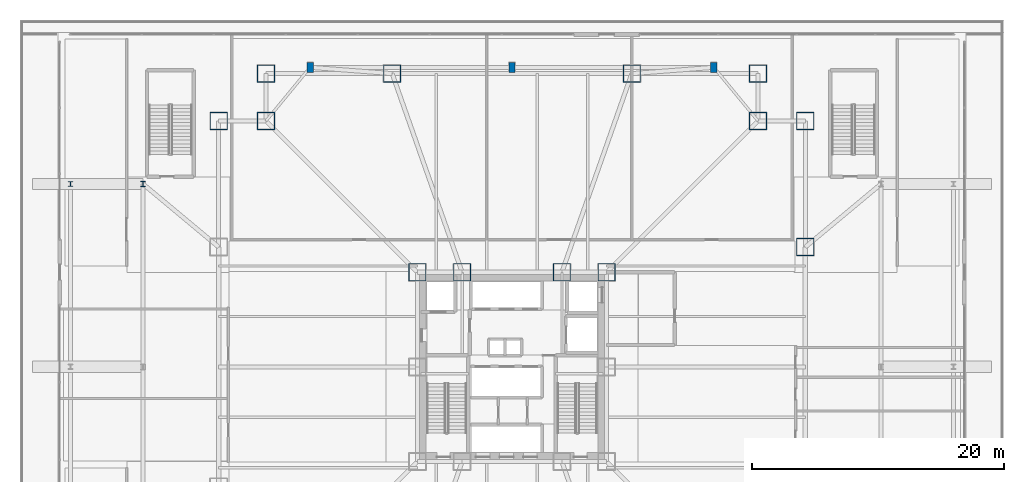
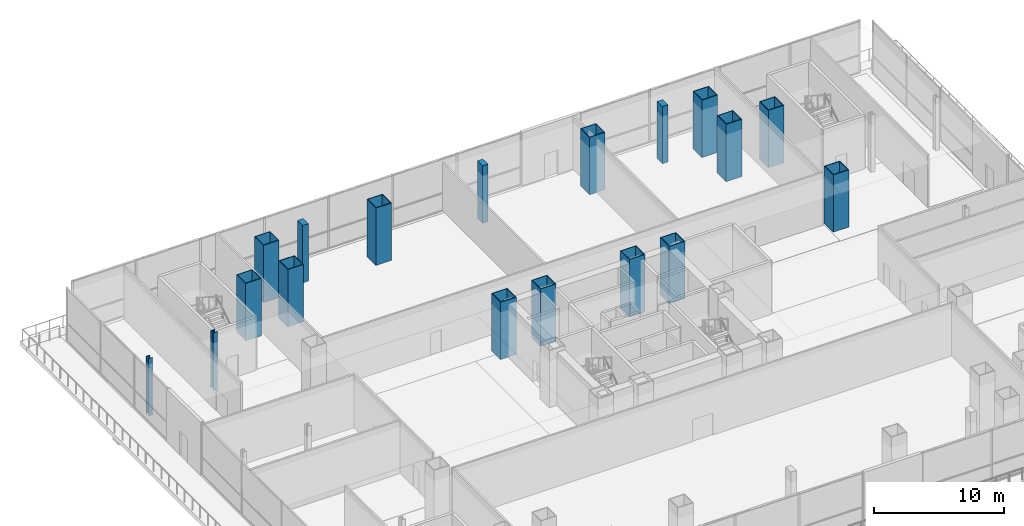
# One storey, part 3 of 35: 18 columns.
"""IFC4 building model written with IfcOpenShell, lengths in metres."""

from ifc_helpers import new_model, si_unit, direction, frame, origin, origin_2d, place, context, subcontext, project, spatial, rectangle, hollow_rectangle, i_section, extrude, material, material_profile, profile_set, type_object, element, save


model = new_model("IFC4")

# Units and contexts
model_context = context("Model", 3, precision=1e-05, world=origin(), true_north=direction((0.0, 1.0)))
body_context = subcontext(model_context, "Body", "Model", "MODEL_VIEW")
ifc_project = project(units=[si_unit("LENGTHUNIT", "METRE"), si_unit("AREAUNIT", "SQUARE_METRE"), si_unit("VOLUMEUNIT", "CUBIC_METRE"), si_unit("PLANEANGLEUNIT", "RADIAN"), si_unit("MASSUNIT", "GRAM", prefix="KILO")], contexts=[model_context])

# Site, building, storey
site_placement = place(None, origin())
site = spatial("IfcSite", under=ifc_project, at=site_placement, CompositionType="ELEMENT")
building_placement = place(site_placement, origin())
building = spatial("IfcBuilding", under=site, at=building_placement, Name="Trevonay Congress Spire", CompositionType="ELEMENT")
storey_placement = place(building_placement, frame((0.0, 0.0, 10.800048828125)))
storey = spatial("IfcBuildingStorey", under=building, at=storey_placement, Name="L02", CompositionType="ELEMENT", Elevation=10.800048828125)

# Columns
ifc_material_1 = material(Name="Steel ASTM A572 Grade 50", Category="steel")
ifc_material_profile_1 = material_profile(ifc_material_1, hollow_rectangle(XDim=1.39990234375, YDim=1.39990234375, WallThickness=0.06005859375, at=origin_2d()), Name="BOX 1400x1400x60")
ifc_profile_set_1 = profile_set([ifc_material_profile_1], Name="Steel ASTM A572 Grade 50")
column_type_1 = type_object("IfcColumnType", Name="COL-CORE-BOX1400", PredefinedType="COLUMN", material=ifc_profile_set_1)
for number, where, z_axis, x_axis, name in (
    (1, (7.5, 7.5, 0.0), (0.0, 0.0, 1.0), (1.0, 0.0, 0.0), "L02 column C01 at CC-NE"),
    (2, (3.949951171875, 7.5, 0.0), (0.0, 0.0, 1.0), (1.0, 0.0, 0.0), "L02 column C01 at CC-NME"),
    (3, (-3.949951171875, 7.5, 0.0), (0.0, 0.0, 1.0), (1.0, 0.0, 0.0), "L02 column C01 at CC-NMW"),
    (4, (-7.5, 7.5, 0.0), (0.0, 0.0, 1.0), (1.0, 0.0, 0.0), "L02 column C01 at CC-NW"),
    (5, (-19.5, 23.25, 0.0), (0.0, 0.0, 1.0), (1.0, 0.0, 0.0), "L02 column C01 at TM-N1"),
    (6, (-9.5, 23.25, 0.0), (0.0, 0.0, 1.0), (1.0, 0.0, 0.0), "L02 column C01 at TM-N2"),
    (7, (9.5, 23.25, 0.0), (0.0, 0.0, 1.0), (1.0, 0.0, 0.0), "L02 column C01 at TM-N5"),
    (8, (19.5, 23.25, 0.0), (0.0, 0.0, 1.0), (1.0, 0.0, 0.0), "L02 column C01 at TM-N6"),
    (9, (-23.25, 19.5, 0.0), (0.0, 0.0, 1.0), (1.0, 0.0, 0.0), "L02 column C01 at TM-W6"),
    (10, (23.25, 9.5, 0.0), (0.0, 0.0, 1.0), (1.0, 0.0, 0.0), "L02 column C01 at TM-E5"),
    (11, (23.25, 19.5, 0.0), (0.0, 0.0, 1.0), (1.0, 0.0, 0.0), "L02 column C01 at TM-E6"),
    (12, (19.5, 19.5, 0.0), (0.0, 0.0, 1.0), (1.0, 0.0, 0.0), "L02 column C01 at TM-CNE"),
    (13, (-19.5, 19.5, 0.0), (0.0, 0.0, 1.0), (1.0, 0.0, 0.0), "L02 column C01 at TM-CNW"),
):
    element("IfcColumn", number, at=place(storey_placement, frame(where, z_axis=z_axis, x_axis=x_axis)), inside=storey, type_object=column_type_1, Name=name, PredefinedType="COLUMN", context=body_context, shape_type="SweptSolid", body=[
        extrude(hollow_rectangle(XDim=1.39990234375, YDim=1.39990234375, WallThickness=0.06005859375, at=origin_2d()), origin(), (0.0, 0.0, 1.0), 5.39990234375),
    ])
ifc_material_2 = material(Name="Concrete C60/75", Category="concrete")
ifc_material_profile_2 = material_profile(ifc_material_2, rectangle(XDim=0.5, YDim=0.800048828125, at=origin_2d()), Name="RC 800x500")
ifc_profile_set_2 = profile_set([ifc_material_profile_2], Name="Concrete C60/75")
column_type_2 = type_object("IfcColumnType", Name="COL-PIL-RC800X500", PredefinedType="PILASTER", material=ifc_profile_set_2)
for number, where, z_axis, x_axis, name in (
    (14, (-16.0, 23.75, 0.0), (0.0, 0.0, 1.0), (1.0, 0.0, 0.0), "L02 column C13 at PN-1"),
    (15, (0.0, 23.75, 0.0), (0.0, 0.0, 1.0), (1.0, 0.0, 0.0), "L02 column C13 at PN-2"),
    (16, (16.0, 23.75, 0.0), (0.0, 0.0, 1.0), (1.0, 0.0, 0.0), "L02 column C13 at PN-3"),
):
    element("IfcColumn", number, at=place(storey_placement, frame(where, z_axis=z_axis, x_axis=x_axis)), inside=storey, type_object=column_type_2, Name=name, PredefinedType="PILASTER", context=body_context, shape_type="SweptSolid", body=[
        extrude(rectangle(XDim=0.5, YDim=0.800048828125, at=origin_2d()), origin(), (0.0, 0.0, 1.0), 5.39990234375),
    ])
ifc_material_profile_3 = material_profile(ifc_material_1, i_section(OverallWidth=0.367919921875, OverallDepth=0.425048828125, WebThickness=0.02978515625, FlangeThickness=0.047607421875, FilletRadius=0.02001953125, at=origin_2d()), Name="W360x421")
ifc_profile_set_3 = profile_set([ifc_material_profile_3], Name="Steel ASTM A572 Grade 50")
column_type_3 = type_object("IfcColumnType", Name="COL-POD-W360X421", PredefinedType="COLUMN", material=ifc_profile_set_3)
column_1_placement = place(storey_placement, frame((-29.25, 14.5, 0.0), z_axis=(0.0, 0.0, 1.0), x_axis=(1.0, 0.0, 0.0)))
element("IfcColumn", 17, at=column_1_placement, inside=storey, type_object=column_type_3, Name="L02 column C08 at PW-3", PredefinedType="COLUMN", context=body_context, shape_type="SweptSolid", body=[
    extrude(i_section(OverallWidth=0.367919921875, OverallDepth=0.425048828125, WebThickness=0.02978515625, FlangeThickness=0.047607421875, FilletRadius=0.02001953125, at=origin_2d()), origin(), (0.0, 0.0, 1.0), 5.39990234375),
])
ifc_material_profile_4 = material_profile(ifc_material_1, i_section(OverallWidth=0.340087890625, OverallDepth=0.39306640625, WebThickness=0.020263671875, FlangeThickness=0.033203125, FilletRadius=0.02001953125, at=origin_2d()), Name="W360x287")
ifc_profile_set_4 = profile_set([ifc_material_profile_4], Name="Steel ASTM A572 Grade 50")
column_type_4 = type_object("IfcColumnType", Name="COL-STEP-W360X287", PredefinedType="COLUMN", material=ifc_profile_set_4)
column_2_placement = place(storey_placement, frame((-35.0, 14.5, -0.400146484375), z_axis=(0.0, 0.0, 1.0), x_axis=(1.0, 0.0, 0.0)))
element("IfcColumn", 18, at=column_2_placement, inside=storey, type_object=column_type_4, Name="L02 column C10 at SW-3", PredefinedType="COLUMN", context=body_context, shape_type="SweptSolid", body=[
    extrude(i_section(OverallWidth=0.340087890625, OverallDepth=0.39306640625, WebThickness=0.020263671875, FlangeThickness=0.033203125, FilletRadius=0.02001953125, at=origin_2d()), origin(), (0.0, 0.0, 1.0), 5.400146484375),
])

save(model, "model.ifc")
